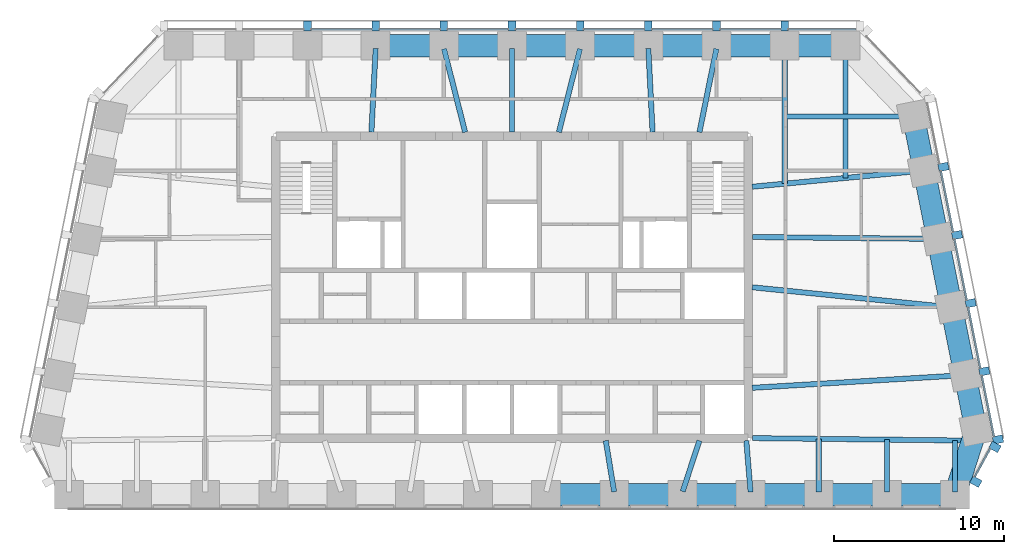
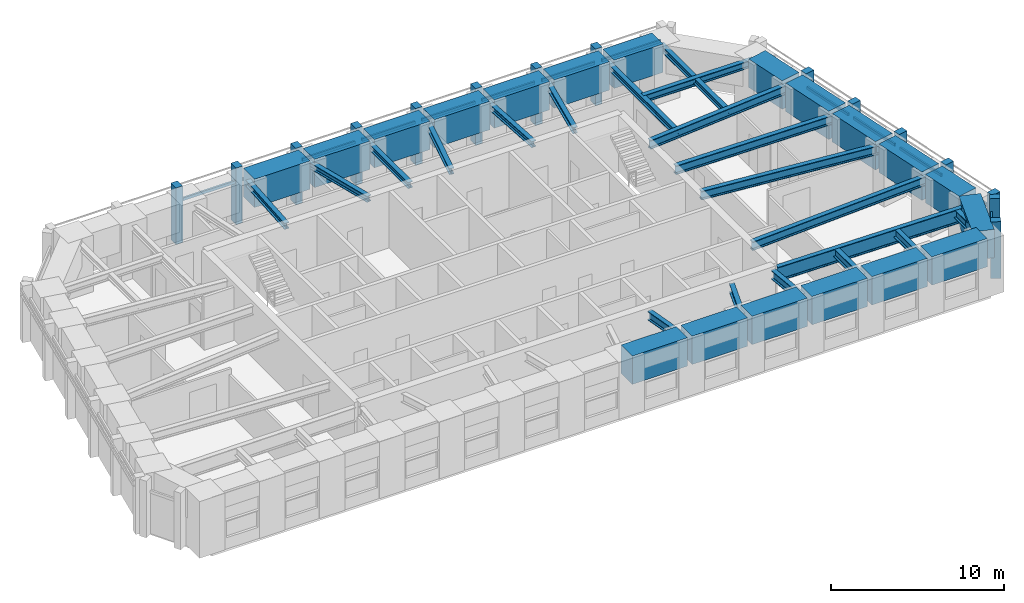
# One storey, part 2 of 8: 39 beams, 28 members, 3 elements without a shape of their own.
"""IFC4 building model written with IfcOpenShell, lengths in metres."""

from ifc_helpers import new_model, si_unit, direction, frame, origin, origin_2d, place, context, subcontext, project, spatial, rectangle, i_section, extrude, material, material_profile, profile_set, type_object, element, aggregate, save


model = new_model("IFC4")

# Units and contexts
model_context = context("Model", 3, precision=1e-05, world=origin(), true_north=direction((0.0, 1.0)))
body_context = subcontext(model_context, "Body", "Model", "MODEL_VIEW")
ifc_project = project(units=[si_unit("LENGTHUNIT", "METRE"), si_unit("AREAUNIT", "SQUARE_METRE"), si_unit("VOLUMEUNIT", "CUBIC_METRE"), si_unit("PLANEANGLEUNIT", "RADIAN"), si_unit("MASSUNIT", "GRAM", prefix="KILO")], contexts=[model_context])

# Site, building, storey
site_placement = place(None, origin())
site = spatial("IfcSite", under=ifc_project, at=site_placement, CompositionType="ELEMENT")
building_placement = place(site_placement, origin())
building = spatial("IfcBuilding", under=site, at=building_placement, Name="Isbrekke Arena Tower", CompositionType="ELEMENT")
storey_placement = place(building_placement, frame((0.0, 0.0, 320.0)))
storey = spatial("IfcBuildingStorey", under=building, at=storey_placement, Name="L75", CompositionType="ELEMENT", Elevation=320.0)

# Beams
ifc_material_1 = material(Name="Steel S355", Category="steel")
ifc_material_profile_1 = material_profile(ifc_material_1, i_section(OverallWidth=0.304931640625, OverallDepth=0.6201171875, WebThickness=0.02099609375, FlangeThickness=0.0400390625, FilletRadius=0.027099609375, at=origin_2d()), Name="HEM 600")
ifc_profile_set_1 = profile_set([ifc_material_profile_1], Name="Steel S355")
beam_type_1 = type_object("IfcBeamType", Name="B4 HEM 600", PredefinedType="BEAM", material=ifc_profile_set_1)
beam_1_placement = place(storey_placement, frame((5.995849609375, 2.99951171875, 3.43994140625), z_axis=(-0.163044952053, 0.986618641426, 0.0), x_axis=(-0.986618641426, -0.163044952053, 0.0)))
element("IfcBeam", 1, at=beam_1_placement, inside=storey, type_object=beam_type_1, Name="B4 beam C-S09 L75", PredefinedType="BEAM", context=body_context, shape_type="SweptSolid", body=[
    extrude(i_section(OverallWidth=0.304931640625, OverallDepth=0.6201171875, WebThickness=0.02099609375, FlangeThickness=0.0400390625, FilletRadius=0.027099609375, at=origin_2d()), origin(), (0.0, 0.0, 1.0), 3.041259765625),
])
beam_2_placement = place(storey_placement, frame((10.01513671875, 3.0205078125, 3.43994140625), z_axis=(0.313846083605, 0.949473873156, 0.0), x_axis=(-0.949473873156, 0.313846083605, 0.0)))
element("IfcBeam", 2, at=beam_2_placement, inside=storey, type_object=beam_type_1, Name="B4 beam C-S10 L75", PredefinedType="BEAM", context=body_context, shape_type="SweptSolid", body=[
    extrude(i_section(OverallWidth=0.304931640625, OverallDepth=0.6201171875, WebThickness=0.02099609375, FlangeThickness=0.0400390625, FilletRadius=0.027099609375, at=origin_2d()), origin(), (0.0, 0.0, 1.0), 3.137939453125),
])
beam_3_placement = place(storey_placement, frame((13.9990234375, 2.987548828125, 3.43994140625), z_axis=(-0.082383718089, 0.996600683822, 0.0), x_axis=(-0.996600683822, -0.082383718089, 0.0)))
element("IfcBeam", 3, at=beam_3_placement, inside=storey, type_object=beam_type_1, Name="B4 beam C-S11 L75", PredefinedType="BEAM", context=body_context, shape_type="SweptSolid", body=[
    extrude(i_section(OverallWidth=0.304931640625, OverallDepth=0.6201171875, WebThickness=0.02099609375, FlangeThickness=0.0400390625, FilletRadius=0.027099609375, at=origin_2d()), origin(), (0.0, 0.0, 1.0), 3.022705078125),
])
beam_4_placement = place(storey_placement, frame((18.0, 2.97509765625, 3.43994140625), z_axis=(0.0, 1.0, 0.0), x_axis=(-1.0, 0.0, 0.0)))
element("IfcBeam", 4, at=beam_4_placement, inside=storey, type_object=beam_type_1, Name="B4 beam C-S12 L75", PredefinedType="BEAM", context=body_context, shape_type="SweptSolid", body=[
    extrude(i_section(OverallWidth=0.304931640625, OverallDepth=0.6201171875, WebThickness=0.02099609375, FlangeThickness=0.0400390625, FilletRadius=0.027099609375, at=origin_2d()), origin(), (0.0, 0.0, 1.0), 3.13037109375),
])
beam_5_placement = place(storey_placement, frame((22.0, 2.97509765625, 3.43994140625), z_axis=(0.0, 1.0, 0.0), x_axis=(-1.0, 0.0, 0.0)))
element("IfcBeam", 5, at=beam_5_placement, inside=storey, type_object=beam_type_1, Name="B4 beam C-S13 L75", PredefinedType="BEAM", context=body_context, shape_type="SweptSolid", body=[
    extrude(i_section(OverallWidth=0.304931640625, OverallDepth=0.6201171875, WebThickness=0.02099609375, FlangeThickness=0.0400390625, FilletRadius=0.027099609375, at=origin_2d()), origin(), (0.0, 0.0, 1.0), 3.084716796875),
])
beam_6_placement = place(storey_placement, frame((26.0, 2.97509765625, 3.43994140625), z_axis=(0.0, 1.0, 0.0), x_axis=(-1.0, 0.0, 0.0)))
element("IfcBeam", 6, at=beam_6_placement, inside=storey, type_object=beam_type_1, Name="B4 beam C-S14 L75", PredefinedType="BEAM", context=body_context, shape_type="SweptSolid", body=[
    extrude(i_section(OverallWidth=0.304931640625, OverallDepth=0.6201171875, WebThickness=0.02099609375, FlangeThickness=0.0400390625, FilletRadius=0.027099609375, at=origin_2d()), origin(), (0.0, 0.0, 1.0), 3.0390625),
])
beam_7_placement = place(storey_placement, frame((26.431884765625, 9.837646484375, 3.43994140625), z_axis=(-0.998216240514, -0.059702070095, 0.0), x_axis=(0.059702070095, -0.998216240514, 0.0)))
element("IfcBeam", 7, at=beam_7_placement, inside=storey, type_object=beam_type_1, Name="B4 beam E-E02 L75", PredefinedType="BEAM", context=body_context, shape_type="SweptSolid", body=[
    extrude(i_section(OverallWidth=0.304931640625, OverallDepth=0.6201171875, WebThickness=0.02099609375, FlangeThickness=0.0400390625, FilletRadius=0.027099609375, at=origin_2d()), origin(), (0.0, 0.0, 1.0), 12.353759765625),
])
beam_8_placement = place(storey_placement, frame((25.625732421875, 13.83984375, 3.43994140625), z_axis=(-0.994972081505, 0.100152668587, 0.0), x_axis=(-0.100152668587, -0.994972081505, 0.0)))
element("IfcBeam", 8, at=beam_8_placement, inside=storey, type_object=beam_type_1, Name="B4 beam E-E03 L75", PredefinedType="BEAM", context=body_context, shape_type="SweptSolid", body=[
    extrude(i_section(OverallWidth=0.304931640625, OverallDepth=0.6201171875, WebThickness=0.02099609375, FlangeThickness=0.0400390625, FilletRadius=0.027099609375, at=origin_2d()), origin(), (0.0, 0.0, 1.0), 11.583984375),
])
beam_9_placement = place(storey_placement, frame((24.83935546875, 17.838134765625, 3.43994140625), z_axis=(-0.999945800258, 0.010411366203, 0.0), x_axis=(-0.010411366203, -0.999945800258, 0.0)))
element("IfcBeam", 9, at=beam_9_placement, inside=storey, type_object=beam_type_1, Name="B4 beam E-E04 L75", PredefinedType="BEAM", context=body_context, shape_type="SweptSolid", body=[
    extrude(i_section(OverallWidth=0.304931640625, OverallDepth=0.6201171875, WebThickness=0.02099609375, FlangeThickness=0.0400390625, FilletRadius=0.027099609375, at=origin_2d()), origin(), (0.0, 0.0, 1.0), 10.73974609375),
])
beam_10_placement = place(storey_placement, frame((24.02685546875, 21.8369140625, 3.43994140625), z_axis=(-0.995574576627, -0.093974796485, 0.0), x_axis=(0.093974796485, -0.995574576627, 0.0)))
element("IfcBeam", 10, at=beam_10_placement, inside=storey, type_object=beam_type_1, Name="B4 beam E-E05 L75", PredefinedType="BEAM", context=body_context, shape_type="SweptSolid", body=[
    extrude(i_section(OverallWidth=0.304931640625, OverallDepth=0.6201171875, WebThickness=0.02099609375, FlangeThickness=0.0400390625, FilletRadius=0.027099609375, at=origin_2d()), origin(), (0.0, 0.0, 1.0), 9.970947265625),
])
ifc_material_2 = material(Name="Steel S355", Category="steel")
ifc_material_profile_2 = material_profile(ifc_material_2, i_section(OverallWidth=0.305908203125, OverallDepth=0.52392578125, WebThickness=0.02099609375, FlangeThickness=0.0400390625, FilletRadius=0.027099609375, at=origin_2d()), Name="HEM 500")
ifc_profile_set_2 = profile_set([ifc_material_profile_2], Name="Steel S355")
beam_type_2 = type_object("IfcBeamType", Name="B5 HEM 500", PredefinedType="BEAM", material=ifc_profile_set_2)
beam_11_placement = place(storey_placement, frame((23.40283203125, 25.029296875, 3.488037109375), z_axis=(-1.0, 0.0, 0.0), x_axis=(0.0, -1.0, 0.0)))
element("IfcBeam", 11, at=beam_11_placement, inside=storey, type_object=beam_type_2, Name="B5 beam E-E06 L75", PredefinedType="BEAM", context=body_context, shape_type="SweptSolid", body=[
    extrude(i_section(OverallWidth=0.305908203125, OverallDepth=0.52392578125, WebThickness=0.02099609375, FlangeThickness=0.0400390625, FilletRadius=0.027099609375, at=origin_2d()), origin(), (0.0, 0.0, 1.0), 7.40283203125),
])
ifc_material_3 = material(Name="Steel S355", Category="steel")
ifc_material_profile_3 = material_profile(ifc_material_3, i_section(OverallWidth=0.306884765625, OverallDepth=0.431884765625, WebThickness=0.02099609375, FlangeThickness=0.0400390625, FilletRadius=0.027099609375, at=origin_2d()), Name="HEM 400")
ifc_profile_set_3 = profile_set([ifc_material_profile_3], Name="Steel S355")
beam_type_3 = type_object("IfcBeamType", Name="B6 HEM 400", PredefinedType="BEAM", material=ifc_profile_set_3)
beam_12_placement = place(storey_placement, frame((19.574951171875, 29.02490234375, 3.533935546875), z_axis=(0.0, -1.0, 0.0), x_axis=(1.0, 0.0, 0.0)))
element("IfcBeam", 12, at=beam_12_placement, inside=storey, type_object=beam_type_3, Name="B6 beam N-N01 L75", PredefinedType="BEAM", context=body_context, shape_type="SweptSolid", body=[
    extrude(i_section(OverallWidth=0.306884765625, OverallDepth=0.431884765625, WebThickness=0.02099609375, FlangeThickness=0.0400390625, FilletRadius=0.027099609375, at=origin_2d()), origin(), (0.0, 0.0, 1.0), 7.608154296875),
])
beam_13_placement = place(storey_placement, frame((16.0, 29.02490234375, 3.533935546875), z_axis=(0.0, -1.0, 0.0), x_axis=(1.0, 0.0, 0.0)))
element("IfcBeam", 13, at=beam_13_placement, inside=storey, type_object=beam_type_3, Name="B6 beam N-N02 L75", PredefinedType="BEAM", context=body_context, shape_type="SweptSolid", body=[
    extrude(i_section(OverallWidth=0.306884765625, OverallDepth=0.431884765625, WebThickness=0.02099609375, FlangeThickness=0.0400390625, FilletRadius=0.027099609375, at=origin_2d()), origin(), (0.0, 0.0, 1.0), 7.945556640625),
])
beam_14_placement = place(storey_placement, frame((11.993896484375, 28.9951171875, 3.533935546875), z_axis=(-0.198982177337, -0.980003108721, 0.0), x_axis=(0.980003108721, -0.198982177337, 0.0)))
element("IfcBeam", 14, at=beam_14_placement, inside=storey, type_object=beam_type_3, Name="B6 beam N-N03 L75", PredefinedType="BEAM", context=body_context, shape_type="SweptSolid", body=[
    extrude(i_section(OverallWidth=0.306884765625, OverallDepth=0.431884765625, WebThickness=0.02099609375, FlangeThickness=0.0400390625, FilletRadius=0.027099609375, at=origin_2d()), origin(), (0.0, 0.0, 1.0), 4.994873046875),
])
beam_15_placement = place(storey_placement, frame((8.00048828125, 29.017333984375, 3.533935546875), z_axis=(0.050677067868, -0.998715091902, 0.0), x_axis=(0.998715091902, 0.050677067868, 0.0)))
element("IfcBeam", 15, at=beam_15_placement, inside=storey, type_object=beam_type_3, Name="B6 beam N-N04 L75", PredefinedType="BEAM", context=body_context, shape_type="SweptSolid", body=[
    extrude(i_section(OverallWidth=0.306884765625, OverallDepth=0.431884765625, WebThickness=0.02099609375, FlangeThickness=0.0400390625, FilletRadius=0.027099609375, at=origin_2d()), origin(), (0.0, 0.0, 1.0), 4.923583984375),
])
beam_16_placement = place(storey_placement, frame((3.99072265625, 28.98828125, 3.533935546875), z_axis=(-0.246019579109, -0.969264858898, 0.0), x_axis=(0.969264858898, -0.246019579109, 0.0)))
element("IfcBeam", 16, at=beam_16_placement, inside=storey, type_object=beam_type_3, Name="B6 beam N-N05 L75", PredefinedType="BEAM", context=body_context, shape_type="SweptSolid", body=[
    extrude(i_section(OverallWidth=0.306884765625, OverallDepth=0.431884765625, WebThickness=0.02099609375, FlangeThickness=0.0400390625, FilletRadius=0.027099609375, at=origin_2d()), origin(), (0.0, 0.0, 1.0), 5.043212890625),
])
beam_17_placement = place(storey_placement, frame((0.0, 29.02490234375, 3.533935546875), z_axis=(0.0, -1.0, 0.0), x_axis=(1.0, 0.0, 0.0)))
element("IfcBeam", 17, at=beam_17_placement, inside=storey, type_object=beam_type_3, Name="B6 beam N-N06 L75", PredefinedType="BEAM", context=body_context, shape_type="SweptSolid", body=[
    extrude(i_section(OverallWidth=0.306884765625, OverallDepth=0.431884765625, WebThickness=0.02099609375, FlangeThickness=0.0400390625, FilletRadius=0.027099609375, at=origin_2d()), origin(), (0.0, 0.0, 1.0), 4.9248046875),
])
beam_18_placement = place(storey_placement, frame((-3.99072265625, 28.98828125, 3.533935546875), z_axis=(0.246019579109, -0.969264858898, 0.0), x_axis=(0.969264858898, 0.246019579109, 0.0)))
element("IfcBeam", 18, at=beam_18_placement, inside=storey, type_object=beam_type_3, Name="B6 beam N-N07 L75", PredefinedType="BEAM", context=body_context, shape_type="SweptSolid", body=[
    extrude(i_section(OverallWidth=0.306884765625, OverallDepth=0.431884765625, WebThickness=0.02099609375, FlangeThickness=0.0400390625, FilletRadius=0.027099609375, at=origin_2d()), origin(), (0.0, 0.0, 1.0), 5.043212890625),
])
beam_19_placement = place(storey_placement, frame((-8.00048828125, 29.017333984375, 3.533935546875), z_axis=(-0.050677067868, -0.998715091902, 0.0), x_axis=(0.998715091902, -0.050677067868, 0.0)))
element("IfcBeam", 19, at=beam_19_placement, inside=storey, type_object=beam_type_3, Name="B6 beam N-N08 L75", PredefinedType="BEAM", context=body_context, shape_type="SweptSolid", body=[
    extrude(i_section(OverallWidth=0.306884765625, OverallDepth=0.431884765625, WebThickness=0.02099609375, FlangeThickness=0.0400390625, FilletRadius=0.027099609375, at=origin_2d()), origin(), (0.0, 0.0, 1.0), 4.923583984375),
])

# Curtain wall, members
ifc_material_4 = material(Name="Glazed aluminium curtain wall", Category="aluminium")
curtain_wall_type = type_object("IfcCurtainWallType", Name="CWT TOWER CURTAIN WALL TOP ZONE", PredefinedType="USERDEFINED", material=ifc_material_4)
curtain_wall_1_placement = place(storey_placement, origin())
curtain_wall_1 = element("IfcCurtainWall", 20, at=curtain_wall_1_placement, inside=storey, type_object=curtain_wall_type, Name="CWT curtain wall L75-SE", ObjectType="TOWER CURTAIN WALL TOP ZONE", PredefinedType="USERDEFINED")
ifc_material_5 = material(Name="Copper-clad aluminium mullion", Category="aluminium")
ifc_material_profile_4 = material_profile(ifc_material_5, rectangle(XDim=0.449951171875, YDim=0.60009765625, at=origin_2d()), Name="PIER 450X600")
ifc_profile_set_4 = profile_set([ifc_material_profile_4], Name="Copper-clad aluminium mullion")
member_type_1 = type_object("IfcMemberType", Name="CWT-M PIER MULLION 450 x 600", PredefinedType="MULLION", material=ifc_profile_set_4)
member_1_placement = place(storey_placement, frame((27.218994140625, 3.593994140625, 0.0), z_axis=(0.0, 0.0, 1.0), x_axis=(0.481918749773, 0.876215908676, 0.0)))
member_1 = element("IfcMember", 21, at=member_1_placement, type_object=member_type_1, Name="CWT-M mullion 1", PredefinedType="MULLION", context=body_context, shape_type="SweptSolid", body=[
    extrude(rectangle(XDim=0.449951171875, YDim=0.60009765625, at=origin_2d()), origin(), (0.0, 0.0, 1.0), 4.0),
])
member_2_placement = place(storey_placement, frame((28.340087890625, 5.632080078125, 0.0), z_axis=(0.0, 0.0, 1.0), x_axis=(0.481918749773, 0.876215908676, 0.0)))
member_2 = element("IfcMember", 22, at=member_2_placement, type_object=member_type_1, Name="CWT-M mullion 2", PredefinedType="MULLION", context=body_context, shape_type="SweptSolid", body=[
    extrude(rectangle(XDim=0.449951171875, YDim=0.60009765625, at=origin_2d()), origin(), (0.0, 0.0, 1.0), 4.0),
])

curtain_wall_2_placement = place(storey_placement, origin())
curtain_wall_2 = element("IfcCurtainWall", 23, at=curtain_wall_2_placement, inside=storey, type_object=curtain_wall_type, Name="CWT curtain wall L75-E", ObjectType="TOWER CURTAIN WALL TOP ZONE", PredefinedType="USERDEFINED")
member_3_placement = place(storey_placement, frame((28.518798828125, 6.063720703125, 0.0), z_axis=(0.0, 0.0, 1.0), x_axis=(-0.196116135138, 0.980580675691, 0.0)))
member_3 = element("IfcMember", 24, at=member_3_placement, type_object=member_type_1, Name="CWT-M mullion 1", PredefinedType="MULLION", context=body_context, shape_type="SweptSolid", body=[
    extrude(rectangle(XDim=0.449951171875, YDim=0.60009765625, at=origin_2d()), origin(), (0.0, 0.0, 1.0), 4.0),
])
member_4_placement = place(storey_placement, frame((27.71875, 10.063720703125, 0.0), z_axis=(0.0, 0.0, 1.0), x_axis=(-0.196116135138, 0.980580675691, 0.0)))
member_4 = element("IfcMember", 25, at=member_4_placement, type_object=member_type_1, Name="CWT-M mullion 2", PredefinedType="MULLION", context=body_context, shape_type="SweptSolid", body=[
    extrude(rectangle(XDim=0.449951171875, YDim=0.60009765625, at=origin_2d()), origin(), (0.0, 0.0, 1.0), 4.0),
])
member_5_placement = place(storey_placement, frame((26.918701171875, 14.063720703125, 0.0), z_axis=(0.0, 0.0, 1.0), x_axis=(-0.196116135138, 0.980580675691, 0.0)))
member_5 = element("IfcMember", 26, at=member_5_placement, type_object=member_type_1, Name="CWT-M mullion 3", PredefinedType="MULLION", context=body_context, shape_type="SweptSolid", body=[
    extrude(rectangle(XDim=0.449951171875, YDim=0.60009765625, at=origin_2d()), origin(), (0.0, 0.0, 1.0), 4.0),
])
member_6_placement = place(storey_placement, frame((26.11865234375, 18.063720703125, 0.0), z_axis=(0.0, 0.0, 1.0), x_axis=(-0.196116135138, 0.980580675691, 0.0)))
member_6 = element("IfcMember", 27, at=member_6_placement, type_object=member_type_1, Name="CWT-M mullion 4", PredefinedType="MULLION", context=body_context, shape_type="SweptSolid", body=[
    extrude(rectangle(XDim=0.449951171875, YDim=0.60009765625, at=origin_2d()), origin(), (0.0, 0.0, 1.0), 4.0),
])
member_7_placement = place(storey_placement, frame((25.318603515625, 22.063720703125, 0.0), z_axis=(0.0, 0.0, 1.0), x_axis=(-0.196116135138, 0.980580675691, 0.0)))
member_7 = element("IfcMember", 28, at=member_7_placement, type_object=member_type_1, Name="CWT-M mullion 5", PredefinedType="MULLION", context=body_context, shape_type="SweptSolid", body=[
    extrude(rectangle(XDim=0.449951171875, YDim=0.60009765625, at=origin_2d()), origin(), (0.0, 0.0, 1.0), 4.0),
])

curtain_wall_3_placement = place(storey_placement, origin())
curtain_wall_3 = element("IfcCurtainWall", 29, at=curtain_wall_3_placement, inside=storey, type_object=curtain_wall_type, Name="CWT curtain wall L75-N", ObjectType="TOWER CURTAIN WALL TOP ZONE", PredefinedType="USERDEFINED")
member_8_placement = place(storey_placement, frame((16.0, 30.324951171875, 0.0), z_axis=(0.0, 0.0, 1.0), x_axis=(-1.0, 0.0, 0.0)))
member_8 = element("IfcMember", 30, at=member_8_placement, type_object=member_type_1, Name="CWT-M mullion 2", PredefinedType="MULLION", context=body_context, shape_type="SweptSolid", body=[
    extrude(rectangle(XDim=0.449951171875, YDim=0.60009765625, at=origin_2d()), origin(), (0.0, 0.0, 1.0), 4.0),
])
member_9_placement = place(storey_placement, frame((12.0, 30.324951171875, 0.0), z_axis=(0.0, 0.0, 1.0), x_axis=(-1.0, 0.0, 0.0)))
member_9 = element("IfcMember", 31, at=member_9_placement, type_object=member_type_1, Name="CWT-M mullion 3", PredefinedType="MULLION", context=body_context, shape_type="SweptSolid", body=[
    extrude(rectangle(XDim=0.449951171875, YDim=0.60009765625, at=origin_2d()), origin(), (0.0, 0.0, 1.0), 4.0),
])
member_10_placement = place(storey_placement, frame((8.0, 30.324951171875, 0.0), z_axis=(0.0, 0.0, 1.0), x_axis=(-1.0, 0.0, 0.0)))
member_10 = element("IfcMember", 32, at=member_10_placement, type_object=member_type_1, Name="CWT-M mullion 4", PredefinedType="MULLION", context=body_context, shape_type="SweptSolid", body=[
    extrude(rectangle(XDim=0.449951171875, YDim=0.60009765625, at=origin_2d()), origin(), (0.0, 0.0, 1.0), 4.0),
])
member_11_placement = place(storey_placement, frame((4.0, 30.324951171875, 0.0), z_axis=(0.0, 0.0, 1.0), x_axis=(-1.0, 0.0, 0.0)))
member_11 = element("IfcMember", 33, at=member_11_placement, type_object=member_type_1, Name="CWT-M mullion 5", PredefinedType="MULLION", context=body_context, shape_type="SweptSolid", body=[
    extrude(rectangle(XDim=0.449951171875, YDim=0.60009765625, at=origin_2d()), origin(), (0.0, 0.0, 1.0), 4.0),
])
member_12_placement = place(storey_placement, frame((0.0, 30.324951171875, 0.0), z_axis=(0.0, 0.0, 1.0), x_axis=(-1.0, 0.0, 0.0)))
member_12 = element("IfcMember", 34, at=member_12_placement, type_object=member_type_1, Name="CWT-M mullion 6", PredefinedType="MULLION", context=body_context, shape_type="SweptSolid", body=[
    extrude(rectangle(XDim=0.449951171875, YDim=0.60009765625, at=origin_2d()), origin(), (0.0, 0.0, 1.0), 4.0),
])
member_13_placement = place(storey_placement, frame((-4.0, 30.324951171875, 0.0), z_axis=(0.0, 0.0, 1.0), x_axis=(-1.0, 0.0, 0.0)))
member_13 = element("IfcMember", 35, at=member_13_placement, type_object=member_type_1, Name="CWT-M mullion 7", PredefinedType="MULLION", context=body_context, shape_type="SweptSolid", body=[
    extrude(rectangle(XDim=0.449951171875, YDim=0.60009765625, at=origin_2d()), origin(), (0.0, 0.0, 1.0), 4.0),
])
member_14_placement = place(storey_placement, frame((-8.0, 30.324951171875, 0.0), z_axis=(0.0, 0.0, 1.0), x_axis=(-1.0, 0.0, 0.0)))
member_14 = element("IfcMember", 36, at=member_14_placement, type_object=member_type_1, Name="CWT-M mullion 8", PredefinedType="MULLION", context=body_context, shape_type="SweptSolid", body=[
    extrude(rectangle(XDim=0.449951171875, YDim=0.60009765625, at=origin_2d()), origin(), (0.0, 0.0, 1.0), 4.0),
])
member_15_placement = place(storey_placement, frame((-12.0, 30.324951171875, 0.0), z_axis=(0.0, 0.0, 1.0), x_axis=(-1.0, 0.0, 0.0)))
member_15 = element("IfcMember", 37, at=member_15_placement, type_object=member_type_1, Name="CWT-M mullion 9", PredefinedType="MULLION", context=body_context, shape_type="SweptSolid", body=[
    extrude(rectangle(XDim=0.449951171875, YDim=0.60009765625, at=origin_2d()), origin(), (0.0, 0.0, 1.0), 4.0),
])

# Member
ifc_material_6 = material(Name="Aluminium transom", Category="aluminium")
ifc_material_profile_5 = material_profile(ifc_material_6, rectangle(XDim=0.1201171875, YDim=0.199951171875, at=origin_2d()), Name="TRANSOM 120X200")
ifc_profile_set_5 = profile_set([ifc_material_profile_5], Name="Aluminium transom")
member_type_2 = type_object("IfcMemberType", Name="CWT-T TRANSOM 120 x 200", PredefinedType="USERDEFINED", material=ifc_profile_set_5)
member_16_placement = place(storey_placement, frame((27.152099609375, 3.887451171875, 3.0), z_axis=(0.482003669577, 0.876169197424, 0.0), x_axis=(-0.876169197424, 0.482003669577, 0.0)))
member_16 = element("IfcMember", 38, at=member_16_placement, type_object=member_type_2, Name="CWT-T transom 1", ObjectType="TRANSOM", PredefinedType="USERDEFINED", context=body_context, shape_type="SweptSolid", body=[
    extrude(rectangle(XDim=0.1201171875, YDim=0.199951171875, at=origin_2d()), origin(), (0.0, 0.0, 1.0), 1.876220703125),
])

aggregate(curtain_wall_1, [member_1, member_2, member_16])

member_17_placement = place(storey_placement, frame((28.278564453125, 6.2451171875, 3.0), z_axis=(-0.196154943734, 0.980572913173, 0.0), x_axis=(-0.980572913173, -0.196154943734, 0.0)))
member_17 = element("IfcMember", 39, at=member_17_placement, type_object=member_type_2, Name="CWT-T transom 1", ObjectType="TRANSOM", PredefinedType="USERDEFINED", context=body_context, shape_type="SweptSolid", body=[
    extrude(rectangle(XDim=0.1201171875, YDim=0.199951171875, at=origin_2d()), origin(), (0.0, 0.0, 1.0), 3.62939453125),
])

member_18_placement = place(storey_placement, frame((27.478515625, 10.2451171875, 3.0), z_axis=(-0.196154943734, 0.980572913173, 0.0), x_axis=(-0.980572913173, -0.196154943734, 0.0)))
member_18 = element("IfcMember", 40, at=member_18_placement, type_object=member_type_2, Name="CWT-T transom 2", ObjectType="TRANSOM", PredefinedType="USERDEFINED", context=body_context, shape_type="SweptSolid", body=[
    extrude(rectangle(XDim=0.1201171875, YDim=0.199951171875, at=origin_2d()), origin(), (0.0, 0.0, 1.0), 3.62939453125),
])

member_19_placement = place(storey_placement, frame((26.678466796875, 14.2451171875, 3.0), z_axis=(-0.196090262229, 0.980585849918, 0.0), x_axis=(-0.980585849918, -0.196090262229, 0.0)))
member_19 = element("IfcMember", 41, at=member_19_placement, type_object=member_type_2, Name="CWT-T transom 3", ObjectType="TRANSOM", PredefinedType="USERDEFINED", context=body_context, shape_type="SweptSolid", body=[
    extrude(rectangle(XDim=0.1201171875, YDim=0.199951171875, at=origin_2d()), origin(), (0.0, 0.0, 1.0), 3.62939453125),
])

member_20_placement = place(storey_placement, frame((25.87841796875, 18.2451171875, 3.0), z_axis=(-0.196090262229, 0.980585849918, 0.0), x_axis=(-0.980585849918, -0.196090262229, 0.0)))
member_20 = element("IfcMember", 42, at=member_20_placement, type_object=member_type_2, Name="CWT-T transom 4", ObjectType="TRANSOM", PredefinedType="USERDEFINED", context=body_context, shape_type="SweptSolid", body=[
    extrude(rectangle(XDim=0.1201171875, YDim=0.199951171875, at=origin_2d()), origin(), (0.0, 0.0, 1.0), 3.62939453125),
])

aggregate(curtain_wall_2, [member_3, member_4, member_5, member_6, member_7, member_17, member_18, member_19, member_20])

member_21_placement = place(storey_placement, frame((20.175048828125, 30.125, 3.0), z_axis=(-1.0, 0.0, 0.0), x_axis=(0.0, -1.0, 0.0)))
member_21 = element("IfcMember", 43, at=member_21_placement, type_object=member_type_2, Name="CWT-T transom 1", ObjectType="TRANSOM", PredefinedType="USERDEFINED", context=body_context, shape_type="SweptSolid", body=[
    extrude(rectangle(XDim=0.1201171875, YDim=0.199951171875, at=origin_2d()), origin(), (0.0, 0.0, 1.0), 3.949951171875),
])

member_22_placement = place(storey_placement, frame((15.77490234375, 30.125, 3.0), z_axis=(-1.0, 0.0, 0.0), x_axis=(0.0, -1.0, 0.0)))
member_22 = element("IfcMember", 44, at=member_22_placement, type_object=member_type_2, Name="CWT-T transom 2", ObjectType="TRANSOM", PredefinedType="USERDEFINED", context=body_context, shape_type="SweptSolid", body=[
    extrude(rectangle(XDim=0.1201171875, YDim=0.199951171875, at=origin_2d()), origin(), (0.0, 0.0, 1.0), 3.5498046875),
])

member_23_placement = place(storey_placement, frame((11.77490234375, 30.125, 3.0), z_axis=(-1.0, 0.0, 0.0), x_axis=(0.0, -1.0, 0.0)))
member_23 = element("IfcMember", 45, at=member_23_placement, type_object=member_type_2, Name="CWT-T transom 3", ObjectType="TRANSOM", PredefinedType="USERDEFINED", context=body_context, shape_type="SweptSolid", body=[
    extrude(rectangle(XDim=0.1201171875, YDim=0.199951171875, at=origin_2d()), origin(), (0.0, 0.0, 1.0), 3.5498046875),
])

member_24_placement = place(storey_placement, frame((7.77490234375, 30.125, 3.0), z_axis=(-1.0, 0.0, 0.0), x_axis=(0.0, -1.0, 0.0)))
member_24 = element("IfcMember", 46, at=member_24_placement, type_object=member_type_2, Name="CWT-T transom 4", ObjectType="TRANSOM", PredefinedType="USERDEFINED", context=body_context, shape_type="SweptSolid", body=[
    extrude(rectangle(XDim=0.1201171875, YDim=0.199951171875, at=origin_2d()), origin(), (0.0, 0.0, 1.0), 3.5498046875),
])

member_25_placement = place(storey_placement, frame((3.77490234375, 30.125, 3.0), z_axis=(-1.0, 0.0, 0.0), x_axis=(0.0, -1.0, 0.0)))
member_25 = element("IfcMember", 47, at=member_25_placement, type_object=member_type_2, Name="CWT-T transom 5", ObjectType="TRANSOM", PredefinedType="USERDEFINED", context=body_context, shape_type="SweptSolid", body=[
    extrude(rectangle(XDim=0.1201171875, YDim=0.199951171875, at=origin_2d()), origin(), (0.0, 0.0, 1.0), 3.5498046875),
])

member_26_placement = place(storey_placement, frame((-0.22509765625, 30.125, 3.0), z_axis=(-1.0, 0.0, 0.0), x_axis=(0.0, -1.0, 0.0)))
member_26 = element("IfcMember", 48, at=member_26_placement, type_object=member_type_2, Name="CWT-T transom 6", ObjectType="TRANSOM", PredefinedType="USERDEFINED", context=body_context, shape_type="SweptSolid", body=[
    extrude(rectangle(XDim=0.1201171875, YDim=0.199951171875, at=origin_2d()), origin(), (0.0, 0.0, 1.0), 3.5498046875),
])

member_27_placement = place(storey_placement, frame((-4.22509765625, 30.125, 3.0), z_axis=(-1.0, 0.0, 0.0), x_axis=(0.0, -1.0, 0.0)))
member_27 = element("IfcMember", 49, at=member_27_placement, type_object=member_type_2, Name="CWT-T transom 7", ObjectType="TRANSOM", PredefinedType="USERDEFINED", context=body_context, shape_type="SweptSolid", body=[
    extrude(rectangle(XDim=0.1201171875, YDim=0.199951171875, at=origin_2d()), origin(), (0.0, 0.0, 1.0), 3.5498046875),
])

member_28_placement = place(storey_placement, frame((-8.22509765625, 30.125, 3.0), z_axis=(-1.0, 0.0, 0.0), x_axis=(0.0, -1.0, 0.0)))
member_28 = element("IfcMember", 50, at=member_28_placement, type_object=member_type_2, Name="CWT-T transom 8", ObjectType="TRANSOM", PredefinedType="USERDEFINED", context=body_context, shape_type="SweptSolid", body=[
    extrude(rectangle(XDim=0.1201171875, YDim=0.199951171875, at=origin_2d()), origin(), (0.0, 0.0, 1.0), 3.5498046875),
])

aggregate(curtain_wall_3, [member_8, member_9, member_10, member_11, member_12, member_13, member_14, member_15, member_21, member_22, member_23, member_24, member_25, member_26, member_27, member_28])

# Beams
ifc_material_7 = material(Name="Steel S355", Category="steel")
ifc_material_profile_6 = material_profile(ifc_material_7, i_section(OverallWidth=0.302001953125, OverallDepth=1.008056640625, WebThickness=0.02099609375, FlangeThickness=0.0400390625, FilletRadius=0.030029296875, at=origin_2d()), Name="HEM 1000")
ifc_profile_set_6 = profile_set([ifc_material_profile_6], Name="Steel S355")
beam_type_4 = type_object("IfcBeamType", Name="G2 HEM 1000", PredefinedType="BEAM", material=ifc_profile_set_6)
beam_20_placement = place(storey_placement, frame((14.10009765625, 6.14990234375, 3.24609375), z_axis=(0.999934809516, -0.011418262471, 0.0), x_axis=(0.011418262471, 0.999934809516, 0.0)))
element("IfcBeam", 51, at=beam_20_placement, inside=storey, type_object=beam_type_4, Name="G2 beam G2-E L75", PredefinedType="BEAM", context=body_context, shape_type="SweptSolid", body=[
    extrude(i_section(OverallWidth=0.302001953125, OverallDepth=1.008056640625, WebThickness=0.02099609375, FlangeThickness=0.0400390625, FilletRadius=0.030029296875, at=origin_2d()), origin(), (0.0, 0.0, 1.0), 13.12841796875),
])
ifc_material_8 = material(Name="Concrete B55 (C55/67)", Category="concrete")
ifc_material_profile_7 = material_profile(ifc_material_8, rectangle(XDim=1.300048828125, YDim=2.0, at=origin_2d()), Name="RC 1300x2000")
ifc_profile_set_7 = profile_set([ifc_material_profile_7], Name="Concrete B55 (C55/67)")
beam_type_5 = type_object("IfcBeamType", Name="SB4 RC 1300 x 2000", PredefinedType="SPANDREL", material=ifc_profile_set_7)
for number, where, z_axis, x_axis, name in (
    (52, (2.14990234375, 2.824951171875, 3.0), (1.0, 0.0, 0.0), (0.0, 1.0, 0.0), "SB4 spandrel S08-S09 L75"),
    (53, (6.14990234375, 2.824951171875, 3.0), (1.0, 0.0, 0.0), (0.0, 1.0, 0.0), "SB4 spandrel S09-S10 L75"),
    (54, (10.14990234375, 2.824951171875, 3.0), (1.0, 0.0, 0.0), (0.0, 1.0, 0.0), "SB4 spandrel S10-S11 L75"),
    (55, (14.14990234375, 2.824951171875, 3.0), (1.0, 0.0, 0.0), (0.0, 1.0, 0.0), "SB4 spandrel S11-S12 L75"),
    (56, (18.14990234375, 2.824951171875, 3.0), (1.0, 0.0, 0.0), (0.0, 1.0, 0.0), "SB4 spandrel S12-S13 L75"),
    (57, (22.14990234375, 2.824951171875, 3.0), (1.0, 0.0, 0.0), (0.0, 1.0, 0.0), "SB4 spandrel S13-S14 L75"),
):
    element("IfcBeam", number, at=place(storey_placement, frame(where, z_axis=z_axis, x_axis=x_axis)), inside=storey, type_object=beam_type_5, Name=name, PredefinedType="SPANDREL", context=body_context, shape_type="SweptSolid", body=[
        extrude(rectangle(XDim=1.300048828125, YDim=2.0, at=origin_2d()), origin(), (0.0, 0.0, 1.0), 3.7001953125),
    ])
beam_21_placement = place(storey_placement, frame((26.0458984375, 2.9677734375, 3.0), z_axis=(0.306175101476, 0.951975213562, 0.0), x_axis=(-0.951975213562, 0.306175101476, 0.0)))
element("IfcBeam", 58, at=beam_21_placement, inside=storey, type_object=beam_type_5, Name="SB4 spandrel S14-E01 L75", PredefinedType="SPANDREL", context=body_context, shape_type="SweptSolid", body=[
    extrude(rectangle(XDim=1.300048828125, YDim=2.0, at=origin_2d()), origin(), (0.0, 0.0, 1.0), 3.715087890625),
])
beam_22_placement = place(storey_placement, frame((27.19970703125, 6.794189453125, 3.0), z_axis=(-0.196100243168, 0.980583853951, 0.0), x_axis=(-0.980583853951, -0.196100243168, 0.0)))
element("IfcBeam", 59, at=beam_22_placement, inside=storey, type_object=beam_type_5, Name="SB4 spandrel E01-E02 L75", PredefinedType="SPANDREL", context=body_context, shape_type="SweptSolid", body=[
    extrude(rectangle(XDim=1.300048828125, YDim=2.0, at=origin_2d()), origin(), (0.0, 0.0, 1.0), 2.954345703125),
])
beam_23_placement = place(storey_placement, frame((26.5615234375, 9.9853515625, 3.0), z_axis=(-0.1960664412, 0.980590613169, 0.0), x_axis=(-0.980590613169, -0.1960664412, 0.0)))
element("IfcBeam", 60, at=beam_23_placement, inside=storey, type_object=beam_type_5, Name="SB4 spandrel E02-E03 L75", PredefinedType="SPANDREL", context=body_context, shape_type="SweptSolid", body=[
    extrude(rectangle(XDim=1.300048828125, YDim=2.0, at=origin_2d()), origin(), (0.0, 0.0, 1.0), 3.779052734375),
])
for number, where, z_axis, x_axis, name in (
    (61, (25.76171875, 13.9853515625, 3.0), (-0.196128558387, 0.980578190959, 0.0), (-0.980578190959, -0.196128558387, 0.0), "SB4 spandrel E03-E04 L75"),
    (62, (24.961669921875, 17.9853515625, 3.0), (-0.196128558387, 0.980578190959, 0.0), (-0.980578190959, -0.196128558387, 0.0), "SB4 spandrel E04-E05 L75"),
):
    element("IfcBeam", number, at=place(storey_placement, frame(where, z_axis=z_axis, x_axis=x_axis)), inside=storey, type_object=beam_type_5, Name=name, PredefinedType="SPANDREL", context=body_context, shape_type="SweptSolid", body=[
        extrude(rectangle(XDim=1.300048828125, YDim=2.0, at=origin_2d()), origin(), (0.0, 0.0, 1.0), 3.779296875),
    ])
beam_24_placement = place(storey_placement, frame((24.16162109375, 21.9853515625, 3.0), z_axis=(-0.196116135138, 0.980580675691, 0.0), x_axis=(-0.980580675691, -0.196116135138, 0.0)))
element("IfcBeam", 63, at=beam_24_placement, inside=storey, type_object=beam_type_5, Name="SB4 spandrel E05-E06 L75", PredefinedType="SPANDREL", context=body_context, shape_type="SweptSolid", body=[
    extrude(rectangle(XDim=1.300048828125, YDim=2.0, at=origin_2d()), origin(), (0.0, 0.0, 1.0), 2.9541015625),
])
beam_25_placement = place(storey_placement, frame((19.425048828125, 29.175048828125, 3.0), z_axis=(-1.0, 0.0, 0.0), x_axis=(0.0, -1.0, 0.0)))
element("IfcBeam", 64, at=beam_25_placement, inside=storey, type_object=beam_type_5, Name="SB4 spandrel N01-N02 L75", PredefinedType="SPANDREL", context=body_context, shape_type="SweptSolid", body=[
    extrude(rectangle(XDim=1.300048828125, YDim=2.0, at=origin_2d()), origin(), (0.0, 0.0, 1.0), 3.275146484375),
])
for number, where, z_axis, x_axis, name in (
    (65, (15.85009765625, 29.175048828125, 3.0), (-1.0, 0.0, 0.0), (0.0, -1.0, 0.0), "SB4 spandrel N02-N03 L75"),
    (66, (11.85009765625, 29.175048828125, 3.0), (-1.0, 0.0, 0.0), (0.0, -1.0, 0.0), "SB4 spandrel N03-N04 L75"),
    (67, (7.85009765625, 29.175048828125, 3.0), (-1.0, 0.0, 0.0), (0.0, -1.0, 0.0), "SB4 spandrel N04-N05 L75"),
    (68, (3.85009765625, 29.175048828125, 3.0), (-1.0, 0.0, 0.0), (0.0, -1.0, 0.0), "SB4 spandrel N05-N06 L75"),
    (69, (-0.14990234375, 29.175048828125, 3.0), (-1.0, 0.0, 0.0), (0.0, -1.0, 0.0), "SB4 spandrel N06-N07 L75"),
    (70, (-4.14990234375, 29.175048828125, 3.0), (-1.0, 0.0, 0.0), (0.0, -1.0, 0.0), "SB4 spandrel N07-N08 L75"),
):
    element("IfcBeam", number, at=place(storey_placement, frame(where, z_axis=z_axis, x_axis=x_axis)), inside=storey, type_object=beam_type_5, Name=name, PredefinedType="SPANDREL", context=body_context, shape_type="SweptSolid", body=[
        extrude(rectangle(XDim=1.300048828125, YDim=2.0, at=origin_2d()), origin(), (0.0, 0.0, 1.0), 3.7001953125),
    ])

save(model, "model.ifc")
